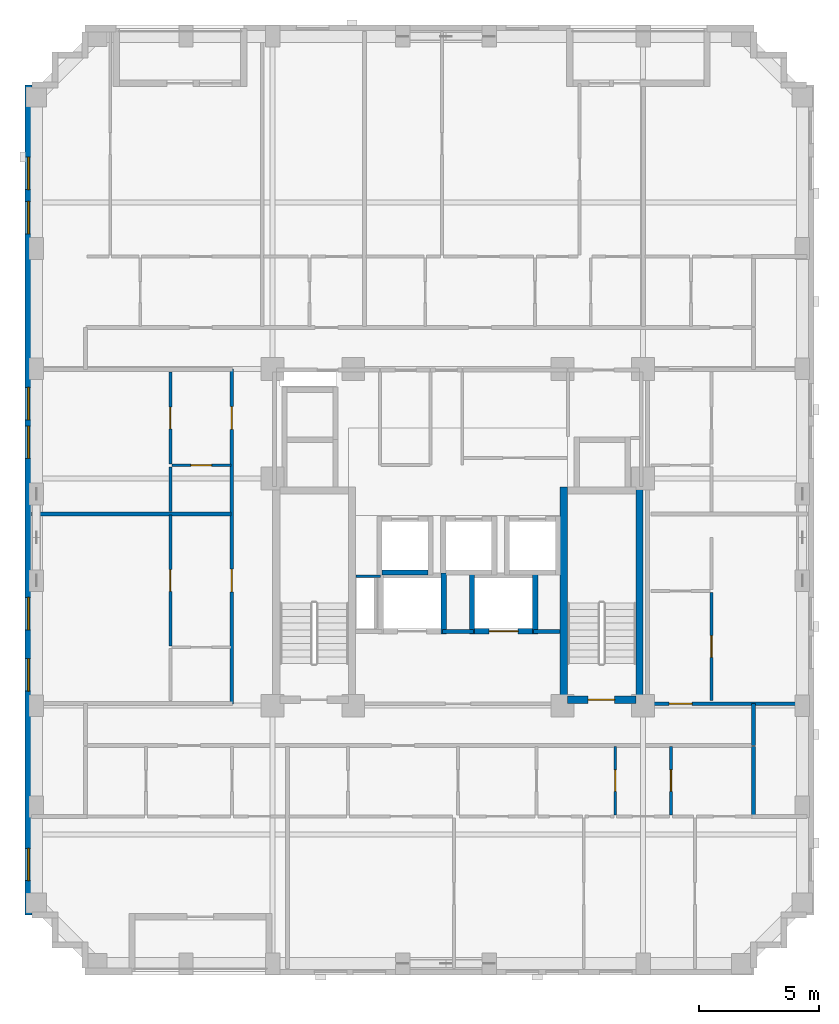
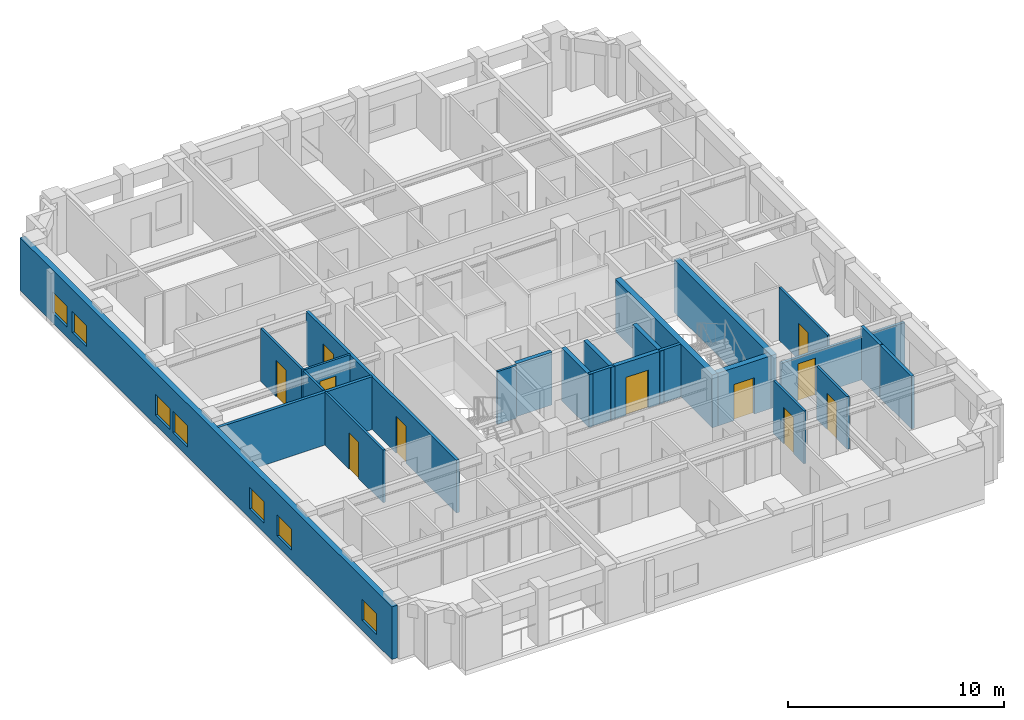
# One storey, part 4 of 11: 24 walls, 11 doors, 7 windows, 18 openings.
"""IFC4 building model written with IfcOpenShell, lengths in metres."""

from ifc_helpers import new_model, si_unit, derived_unit, direction, frame, frame_2d, origin, place, context, subcontext, project, spatial, rectangle, extrude, material, layer, layer_set, type_object, element, fill, save


model = new_model("IFC4")

# Units and contexts
model_context = context("Model", 3, precision=1e-05, world=origin(), true_north=direction((0.0, 1.0)))
body_context = subcontext(model_context, "Body", "Model", "MODEL_VIEW")
ifc_project = project(units=[si_unit("LENGTHUNIT", "METRE"), si_unit("AREAUNIT", "SQUARE_METRE"), si_unit("VOLUMEUNIT", "CUBIC_METRE"), si_unit("PLANEANGLEUNIT", "RADIAN"), si_unit("MASSUNIT", "GRAM", prefix="KILO"), derived_unit("THERMALTRANSMITTANCEUNIT", [(si_unit("MASSUNIT", "GRAM", prefix="KILO"), 1), (si_unit("TIMEUNIT", "SECOND"), -3), (si_unit("THERMODYNAMICTEMPERATUREUNIT", "KELVIN"), -1)])], contexts=[model_context])

# Site, building, storey
site_placement = place(None, origin())
site = spatial("IfcSite", under=ifc_project, at=site_placement, CompositionType="ELEMENT")
building_placement = place(site_placement, origin())
building = spatial("IfcBuilding", under=site, at=building_placement, Name="Korrvale Station Residences", CompositionType="ELEMENT")
storey_placement = place(building_placement, frame((0.0, 0.0, 163.39990234375)))
storey = spatial("IfcBuildingStorey", under=building, at=storey_placement, Name="L47", CompositionType="ELEMENT", Elevation=163.39990234375)

# Walls
ifc_material_1 = material(Name="Concrete C60/75", Category="concrete")
ifc_layer_1 = layer(ifc_material_1, 0.300048828125, Name="Concrete C60/75")
ifc_layer_set_1 = layer_set([ifc_layer_1], Name="Concrete C60/75")
wall_type_1 = type_object("IfcWallType", Name="WAL-CORE-300-C60", PredefinedType="SHEAR", material=ifc_layer_set_1)
for number, where, z_axis, x_axis, name in (
    (1, (29.89990234375, 15.10009765625, 0.0), (0.0, 0.0, 1.0), (0.0, 1.0, 0.0), "L47 ST-2 Core Shear Wall West"),
    (2, (33.050048828125, 15.10009765625, 0.0), (0.0, 0.0, 1.0), (0.0, 1.0, 0.0), "L47 ST-2 Core Shear Wall East"),
):
    element("IfcWall", number, at=place(storey_placement, frame(where, z_axis=z_axis, x_axis=x_axis)), inside=storey, type_object=wall_type_1, Name=name, PredefinedType="SHEAR", context=body_context, shape_type="SweptSolid", body=[
        extrude(rectangle(XDim=9.0, YDim=0.300048828125, at=frame_2d((4.5, 0.0))), origin(), (0.0, 0.0, 1.0), 2.989990234375),
    ])

# Wall, opening, door
wall_1_placement = place(storey_placement, frame((30.050048828125, 15.25, 0.0), z_axis=(0.0, 0.0, 1.0), x_axis=(1.0, 0.0, 0.0)))
wall_1 = element("IfcWall", 3, at=wall_1_placement, inside=storey, type_object=wall_type_1, Name="L47 ST-2 Core Shear Wall South", PredefinedType="SHEAR", context=body_context, shape_type="SweptSolid", body=[
    extrude(rectangle(XDim=2.849853515625, YDim=0.300048828125, at=frame_2d((1.4248046875, 0.0))), origin(), (0.0, 0.0, 1.0), 2.989990234375),
])
opening_1_placement = place(wall_1_placement, frame((0.860107421875, 0.0, 0.0)))
opening_1 = element("IfcOpeningElement", 4, at=opening_1_placement, cuts=wall_1, Name="Opening SD-1100", PredefinedType="OPENING", context=body_context, shape_type="SweptSolid", body=[
    extrude(rectangle(XDim=1.10009765625, YDim=2.050048828125, at=frame_2d((0.550048828125, 1.02490234375))), frame((0.0, 0.16015625, 0.0), z_axis=(0.0, -1.0, 0.0), x_axis=(1.0, 0.0, 0.0)), (0.0, 0.0, 1.0), 0.320068359375),
])
ifc_material_2 = material(Name="Hollow-metal fire-rated stair door with closer", Category="steel")
door_type_1 = type_object("IfcDoorType", Name="DR-STAIR-1100", OperationType="NOTDEFINED", PredefinedType="DOOR", material=ifc_material_2)
door_1_placement = place(opening_1_placement, origin())
door_1 = element("IfcDoor", 5, at=door_1_placement, inside=storey, type_object=door_type_1, Name="L47 ST-2 Exit Stair Door", OperationType="SINGLE_SWING_RIGHT", OverallHeight=2.050048828125, OverallWidth=1.10009765625, PredefinedType="DOOR", context=body_context, shape_type="SweptSolid", body=[
    extrude(rectangle(XDim=1.10009765625, YDim=2.050048828125, at=frame_2d((0.550048828125, 1.02490234375))), frame((0.0, 0.02490234375, 0.0), z_axis=(0.0, -1.0, 0.0), x_axis=(1.0, 0.0, 0.0)), (0.0, 0.0, 1.0), 0.050048828125),
])
fill(opening_1, door_1)

# Wall, openings, windows
ifc_material_3 = material(Name="Precast concrete C45/55", Category="concrete")
ifc_layer_2 = layer(ifc_material_3, 0.300048828125, Name="Precast concrete C45/55")
ifc_layer_set_2 = layer_set([ifc_layer_2], Name="Precast concrete C45/55")
wall_type_2 = type_object("IfcWallType", Name="WAL-EXT-PC300", PredefinedType="SOLIDWALL", material=ifc_layer_set_2)
wall_2_placement = place(storey_placement, frame((7.64990234375, 6.300048828125, 0.0), z_axis=(0.0, 0.0, 1.0), x_axis=(0.0, 1.0, 0.0)))
wall_2 = element("IfcWall", 6, at=wall_2_placement, inside=storey, type_object=wall_type_2, Name="L47 West Exterior Precast Wall 1", PredefinedType="SOLIDWALL", context=body_context, shape_type="SweptSolid", body=[
    extrude(rectangle(XDim=34.5, YDim=0.300048828125, at=frame_2d((17.25, 0.0))), origin(), (0.0, 0.0, 1.0), 2.989990234375),
])
opening_2_placement = place(wall_2_placement, frame((1.425048828125, 0.0, 0.550048828125)))
opening_2 = element("IfcOpeningElement", 7, at=opening_2_placement, cuts=wall_2, Name="Opening W-10", PredefinedType="OPENING", context=body_context, shape_type="SweptSolid", body=[
    extrude(rectangle(XDim=1.35009765625, YDim=1.199951171875, at=frame_2d((0.675048828125, 0.60009765625))), frame((0.0, 0.16015625, 0.0), z_axis=(0.0, -1.0, 0.0), x_axis=(1.0, 0.0, 0.0)), (0.0, 0.0, 1.0), 0.320068359375),
])
opening_3_placement = place(wall_2_placement, frame((30.14990234375, 0.0, 0.550048828125)))
opening_3 = element("IfcOpeningElement", 8, at=opening_3_placement, cuts=wall_2, Name="Opening W-10", PredefinedType="OPENING", context=body_context, shape_type="SweptSolid", body=[
    extrude(rectangle(XDim=1.35009765625, YDim=1.199951171875, at=frame_2d((0.675048828125, 0.60009765625))), frame((0.0, 0.16015625, 0.0), z_axis=(0.0, -1.0, 0.0), x_axis=(1.0, 0.0, 0.0)), (0.0, 0.0, 1.0), 0.320068359375),
])
opening_4_placement = place(wall_2_placement, frame((28.31005859375, 0.0, 0.550048828125)))
opening_4 = element("IfcOpeningElement", 9, at=opening_4_placement, cuts=wall_2, Name="Opening W-10", PredefinedType="OPENING", context=body_context, shape_type="SweptSolid", body=[
    extrude(rectangle(XDim=1.35009765625, YDim=1.199951171875, at=frame_2d((0.675048828125, 0.60009765625))), frame((0.0, 0.16015625, 0.0), z_axis=(0.0, -1.0, 0.0), x_axis=(1.0, 0.0, 0.0)), (0.0, 0.0, 1.0), 0.320068359375),
])
opening_5_placement = place(wall_2_placement, frame((11.85009765625, 0.0, 0.550048828125)))
opening_5 = element("IfcOpeningElement", 10, at=opening_5_placement, cuts=wall_2, Name="Opening W-10", PredefinedType="OPENING", context=body_context, shape_type="SweptSolid", body=[
    extrude(rectangle(XDim=1.35009765625, YDim=1.199951171875, at=frame_2d((0.675048828125, 0.60009765625))), frame((0.0, 0.16015625, 0.0), z_axis=(0.0, -1.0, 0.0), x_axis=(1.0, 0.0, 0.0)), (0.0, 0.0, 1.0), 0.320068359375),
])
opening_6_placement = place(wall_2_placement, frame((9.31005859375, 0.0, 0.550048828125)))
opening_6 = element("IfcOpeningElement", 11, at=opening_6_placement, cuts=wall_2, Name="Opening W-10", PredefinedType="OPENING", context=body_context, shape_type="SweptSolid", body=[
    extrude(rectangle(XDim=1.35009765625, YDim=1.199951171875, at=frame_2d((0.675048828125, 0.60009765625))), frame((0.0, 0.16015625, 0.0), z_axis=(0.0, -1.0, 0.0), x_axis=(1.0, 0.0, 0.0)), (0.0, 0.0, 1.0), 0.320068359375),
])
opening_7_placement = place(wall_2_placement, frame((18.97509765625, 0.0, 0.550048828125)))
opening_7 = element("IfcOpeningElement", 12, at=opening_7_placement, cuts=wall_2, Name="Opening W-10", PredefinedType="OPENING", context=body_context, shape_type="SweptSolid", body=[
    extrude(rectangle(XDim=1.35009765625, YDim=1.199951171875, at=frame_2d((0.675048828125, 0.60009765625))), frame((0.0, 0.16015625, 0.0), z_axis=(0.0, -1.0, 0.0), x_axis=(1.0, 0.0, 0.0)), (0.0, 0.0, 1.0), 0.320068359375),
])
opening_8_placement = place(wall_2_placement, frame((20.5849609375, 0.0, 0.550048828125)))
opening_8 = element("IfcOpeningElement", 13, at=opening_8_placement, cuts=wall_2, Name="Opening W-10", PredefinedType="OPENING", context=body_context, shape_type="SweptSolid", body=[
    extrude(rectangle(XDim=1.35009765625, YDim=1.199951171875, at=frame_2d((0.675048828125, 0.60009765625))), frame((0.0, 0.16015625, 0.0), z_axis=(0.0, -1.0, 0.0), x_axis=(1.0, 0.0, 0.0)), (0.0, 0.0, 1.0), 0.320068359375),
])
ifc_material_4 = material(Name="Thermally broken aluminium frame with triple low-e glazing", Category="aluminium")
window_type = type_object("IfcWindowType", Name="WIN-W10", PartitioningType="SINGLE_PANEL", PredefinedType="WINDOW", material=ifc_material_4)
window_1_placement = place(opening_2_placement, origin())
window_1 = element("IfcWindow", 14, at=window_1_placement, inside=storey, type_object=window_type, Name="L47 Punched Window 01", OverallHeight=1.199951171875, OverallWidth=1.35009765625, PartitioningType="SINGLE_PANEL", PredefinedType="WINDOW", context=body_context, shape_type="SweptSolid", body=[
    extrude(rectangle(XDim=1.35009765625, YDim=1.199951171875, at=frame_2d((0.675048828125, 0.60009765625))), frame((0.0, 0.030029296875, 0.0), z_axis=(0.0, -1.0, 0.0), x_axis=(1.0, 0.0, 0.0)), (0.0, 0.0, 1.0), 0.06005859375),
])
fill(opening_2, window_1)
window_2_placement = place(opening_3_placement, origin())
window_2 = element("IfcWindow", 15, at=window_2_placement, inside=storey, type_object=window_type, Name="L47 Punched Window 08", OverallHeight=1.199951171875, OverallWidth=1.35009765625, PartitioningType="SINGLE_PANEL", PredefinedType="WINDOW", context=body_context, shape_type="SweptSolid", body=[
    extrude(rectangle(XDim=1.35009765625, YDim=1.199951171875, at=frame_2d((0.675048828125, 0.60009765625))), frame((0.0, 0.030029296875, 0.0), z_axis=(0.0, -1.0, 0.0), x_axis=(1.0, 0.0, 0.0)), (0.0, 0.0, 1.0), 0.06005859375),
])
fill(opening_3, window_2)
window_3_placement = place(opening_4_placement, origin())
window_3 = element("IfcWindow", 16, at=window_3_placement, inside=storey, type_object=window_type, Name="L47 Punched Window 09", OverallHeight=1.199951171875, OverallWidth=1.35009765625, PartitioningType="SINGLE_PANEL", PredefinedType="WINDOW", context=body_context, shape_type="SweptSolid", body=[
    extrude(rectangle(XDim=1.35009765625, YDim=1.199951171875, at=frame_2d((0.675048828125, 0.60009765625))), frame((0.0, 0.030029296875, 0.0), z_axis=(0.0, -1.0, 0.0), x_axis=(1.0, 0.0, 0.0)), (0.0, 0.0, 1.0), 0.06005859375),
])
fill(opening_4, window_3)
window_4_placement = place(opening_5_placement, origin())
window_4 = element("IfcWindow", 17, at=window_4_placement, inside=storey, type_object=window_type, Name="L47 Punched Window 16", OverallHeight=1.199951171875, OverallWidth=1.35009765625, PartitioningType="SINGLE_PANEL", PredefinedType="WINDOW", context=body_context, shape_type="SweptSolid", body=[
    extrude(rectangle(XDim=1.35009765625, YDim=1.199951171875, at=frame_2d((0.675048828125, 0.60009765625))), frame((0.0, 0.030029296875, 0.0), z_axis=(0.0, -1.0, 0.0), x_axis=(1.0, 0.0, 0.0)), (0.0, 0.0, 1.0), 0.06005859375),
])
fill(opening_5, window_4)
window_5_placement = place(opening_6_placement, origin())
window_5 = element("IfcWindow", 18, at=window_5_placement, inside=storey, type_object=window_type, Name="L47 Punched Window 17", OverallHeight=1.199951171875, OverallWidth=1.35009765625, PartitioningType="SINGLE_PANEL", PredefinedType="WINDOW", context=body_context, shape_type="SweptSolid", body=[
    extrude(rectangle(XDim=1.35009765625, YDim=1.199951171875, at=frame_2d((0.675048828125, 0.60009765625))), frame((0.0, 0.030029296875, 0.0), z_axis=(0.0, -1.0, 0.0), x_axis=(1.0, 0.0, 0.0)), (0.0, 0.0, 1.0), 0.06005859375),
])
fill(opening_6, window_5)
window_6_placement = place(opening_7_placement, origin())
window_6 = element("IfcWindow", 19, at=window_6_placement, inside=storey, type_object=window_type, Name="L47 Punched Window 18", OverallHeight=1.199951171875, OverallWidth=1.35009765625, PartitioningType="SINGLE_PANEL", PredefinedType="WINDOW", context=body_context, shape_type="SweptSolid", body=[
    extrude(rectangle(XDim=1.35009765625, YDim=1.199951171875, at=frame_2d((0.675048828125, 0.60009765625))), frame((0.0, 0.030029296875, 0.0), z_axis=(0.0, -1.0, 0.0), x_axis=(1.0, 0.0, 0.0)), (0.0, 0.0, 1.0), 0.06005859375),
])
fill(opening_7, window_6)
window_7_placement = place(opening_8_placement, origin())
window_7 = element("IfcWindow", 20, at=window_7_placement, inside=storey, type_object=window_type, Name="L47 Punched Window 19", OverallHeight=1.199951171875, OverallWidth=1.35009765625, PartitioningType="SINGLE_PANEL", PredefinedType="WINDOW", context=body_context, shape_type="SweptSolid", body=[
    extrude(rectangle(XDim=1.35009765625, YDim=1.199951171875, at=frame_2d((0.675048828125, 0.60009765625))), frame((0.0, 0.030029296875, 0.0), z_axis=(0.0, -1.0, 0.0), x_axis=(1.0, 0.0, 0.0)), (0.0, 0.0, 1.0), 0.06005859375),
])
fill(opening_8, window_7)

# Wall
ifc_material_5 = material(Name="Acoustic steel-stud gypsum board partition", Category="steel")
ifc_layer_3 = layer(ifc_material_5, 0.1201171875, Name="Acoustic steel-stud gypsum board partition")
ifc_layer_set_3 = layer_set([ifc_layer_3], Name="Acoustic steel-stud gypsum board partition")
wall_type_3 = type_object("IfcWallType", Name="WAL-PART-125", PredefinedType="PARTITIONING", material=ifc_layer_set_3)
wall_3_placement = place(storey_placement, frame((22.280029296875, 20.3798828125, 0.0), z_axis=(0.0, 0.0, 1.0), x_axis=(-1.0, 0.0, 0.0)))
element("IfcWall", 21, at=wall_3_placement, inside=storey, type_object=wall_type_3, Name="L47 Core Partition CW-RSWT-N", PredefinedType="PARTITIONING", context=body_context, shape_type="SweptSolid", body=[
    extrude(rectangle(XDim=1.02001953125, YDim=0.1201171875, at=frame_2d((0.510009765625, 0.0))), origin(), (0.0, 0.0, 1.0), 2.989990234375),
])

# Wall, opening, door
wall_4_placement = place(storey_placement, frame((32.0400390625, 10.4599609375, 0.0), z_axis=(0.0, 0.0, 1.0), x_axis=(0.0, 1.0, 0.0)))
wall_4 = element("IfcWall", 22, at=wall_4_placement, inside=storey, type_object=wall_type_3, Name="L47 Suite Partition U02-V34", PredefinedType="PARTITIONING", context=body_context, shape_type="SweptSolid", body=[
    extrude(rectangle(XDim=2.85009765625, YDim=0.1201171875, at=frame_2d((1.425048828125, 0.0))), origin(), (0.0, 0.0, 1.0), 2.989990234375),
])
opening_9_placement = place(wall_4_placement, frame((0.97509765625, 0.0, 0.0)))
opening_9 = element("IfcOpeningElement", 23, at=opening_9_placement, cuts=wall_4, Name="Opening DI-900", PredefinedType="OPENING", context=body_context, shape_type="SweptSolid", body=[
    extrude(rectangle(XDim=0.89990234375, YDim=2.050048828125, at=frame_2d((0.449951171875, 1.02490234375))), frame((0.0, 0.070068359375, 0.0), z_axis=(0.0, -1.0, 0.0), x_axis=(1.0, 0.0, 0.0)), (0.0, 0.0, 1.0), 0.14013671875),
])
ifc_material_6 = material(Name="Painted solid-core timber interior room door", Category="wood")
door_type_2 = type_object("IfcDoorType", Name="DR-INT-900", OperationType="NOTDEFINED", PredefinedType="DOOR", material=ifc_material_6)
door_2_placement = place(opening_9_placement, origin())
door_2 = element("IfcDoor", 24, at=door_2_placement, inside=storey, type_object=door_type_2, Name="L47 Apartment 2BR L47-U02 Home Study Room Door", OperationType="SINGLE_SWING_LEFT", OverallHeight=2.050048828125, OverallWidth=0.89990234375, PredefinedType="DOOR", context=body_context, shape_type="SweptSolid", body=[
    extrude(rectangle(XDim=0.89990234375, YDim=2.050048828125, at=frame_2d((0.449951171875, 1.02490234375))), frame((0.0, 0.02490234375, 0.0), z_axis=(0.0, -1.0, 0.0), x_axis=(1.0, 0.0, 0.0)), (0.0, 0.0, 1.0), 0.050048828125),
])
fill(opening_9, door_2)

wall_5_placement = place(storey_placement, frame((34.360107421875, 10.4599609375, 0.0), z_axis=(0.0, 0.0, 1.0), x_axis=(0.0, 1.0, 0.0)))
wall_5 = element("IfcWall", 25, at=wall_5_placement, inside=storey, type_object=wall_type_3, Name="L47 Suite Partition U02-V45", PredefinedType="PARTITIONING", context=body_context, shape_type="SweptSolid", body=[
    extrude(rectangle(XDim=2.85009765625, YDim=0.1201171875, at=frame_2d((1.425048828125, 0.0))), origin(), (0.0, 0.0, 1.0), 2.989990234375),
])
opening_10_placement = place(wall_5_placement, frame((0.97509765625, 0.0, 0.0)))
opening_10 = element("IfcOpeningElement", 26, at=opening_10_placement, cuts=wall_5, Name="Opening DI-900", PredefinedType="OPENING", context=body_context, shape_type="SweptSolid", body=[
    extrude(rectangle(XDim=0.89990234375, YDim=2.050048828125, at=frame_2d((0.449951171875, 1.02490234375))), frame((0.0, 0.070068359375, 0.0), z_axis=(0.0, -1.0, 0.0), x_axis=(1.0, 0.0, 0.0)), (0.0, 0.0, 1.0), 0.14013671875),
])
door_3_placement = place(opening_10_placement, origin())
door_3 = element("IfcDoor", 27, at=door_3_placement, inside=storey, type_object=door_type_2, Name="L47 Apartment 2BR L47-U02 Wardrobe Storage Room Door", OperationType="SINGLE_SWING_RIGHT", OverallHeight=2.050048828125, OverallWidth=0.89990234375, PredefinedType="DOOR", context=body_context, shape_type="SweptSolid", body=[
    extrude(rectangle(XDim=0.89990234375, YDim=2.050048828125, at=frame_2d((0.449951171875, 1.02490234375))), frame((0.0, 0.02490234375, 0.0), z_axis=(0.0, -1.0, 0.0), x_axis=(1.0, 0.0, 0.0)), (0.0, 0.0, 1.0), 0.050048828125),
])
fill(opening_10, door_3)

wall_6_placement = place(storey_placement, frame((13.550048828125, 17.489013671875, 0.0), z_axis=(0.0, 0.0, 1.0), x_axis=(0.0, 1.0, 0.0)))
wall_6 = element("IfcWall", 28, at=wall_6_placement, inside=storey, type_object=wall_type_3, Name="L47 Suite Partition U07-V12", PredefinedType="PARTITIONING", context=body_context, shape_type="SweptSolid", body=[
    extrude(rectangle(XDim=5.43310546875, YDim=0.1201171875, at=frame_2d((2.716552734375, 0.0))), origin(), (0.0, 0.0, 1.0), 2.989990234375),
])
opening_11_placement = place(wall_6_placement, frame((2.26611328125, 0.0, 0.0)))
opening_11 = element("IfcOpeningElement", 29, at=opening_11_placement, cuts=wall_6, Name="Opening DI-900", PredefinedType="OPENING", context=body_context, shape_type="SweptSolid", body=[
    extrude(rectangle(XDim=0.89990234375, YDim=2.050048828125, at=frame_2d((0.449951171875, 1.02490234375))), frame((0.0, 0.070068359375, 0.0), z_axis=(0.0, -1.0, 0.0), x_axis=(1.0, 0.0, 0.0)), (0.0, 0.0, 1.0), 0.14013671875),
])
door_4_placement = place(opening_11_placement, origin())
door_4 = element("IfcDoor", 30, at=door_4_placement, inside=storey, type_object=door_type_2, Name="L47 Apartment 1BR L47-U07 Kitchen Door", OperationType="SINGLE_SWING_RIGHT", OverallHeight=2.050048828125, OverallWidth=0.89990234375, PredefinedType="DOOR", context=body_context, shape_type="SweptSolid", body=[
    extrude(rectangle(XDim=0.89990234375, YDim=2.050048828125, at=frame_2d((0.449951171875, 1.02490234375))), frame((0.0, 0.02490234375, 0.0), z_axis=(0.0, -1.0, 0.0), x_axis=(1.0, 0.0, 0.0)), (0.0, 0.0, 1.0), 0.050048828125),
])
fill(opening_11, door_4)

wall_7_placement = place(storey_placement, frame((13.610107421875, 24.991943359375, 0.0), z_axis=(0.0, 0.0, 1.0), x_axis=(1.0, 0.0, 0.0)))
wall_7 = element("IfcWall", 31, at=wall_7_placement, inside=storey, type_object=wall_type_3, Name="L47 Suite Partition U08-H01", PredefinedType="PARTITIONING", context=body_context, shape_type="SweptSolid", body=[
    extrude(rectangle(XDim=2.449951171875, YDim=0.1201171875, at=frame_2d((1.22509765625, 0.0))), origin(), (0.0, 0.0, 1.0), 2.989990234375),
])
opening_12_placement = place(wall_7_placement, frame((0.794921875, 0.0, 0.0)))
opening_12 = element("IfcOpeningElement", 32, at=opening_12_placement, cuts=wall_7, Name="Opening DB-860", PredefinedType="OPENING", context=body_context, shape_type="SweptSolid", body=[
    extrude(rectangle(XDim=0.860107421875, YDim=2.050048828125, at=frame_2d((0.43017578125, 1.02490234375))), frame((0.0, 0.070068359375, 0.0), z_axis=(0.0, -1.0, 0.0), x_axis=(1.0, 0.0, 0.0)), (0.0, 0.0, 1.0), 0.14013671875),
])
ifc_material_7 = material(Name="Moisture-resistant solid-core bathroom door", Category="timber")
door_type_3 = type_object("IfcDoorType", Name="DR-BATH-860", OperationType="NOTDEFINED", PredefinedType="DOOR", material=ifc_material_7)
door_5_placement = place(opening_12_placement, origin())
door_5 = element("IfcDoor", 33, at=door_5_placement, inside=storey, type_object=door_type_3, Name="L47 Apartment 1BR L47-U08 Bathroom Door", OperationType="SINGLE_SWING_LEFT", OverallHeight=2.050048828125, OverallWidth=0.860107421875, PredefinedType="DOOR", context=body_context, shape_type="SweptSolid", body=[
    extrude(rectangle(XDim=0.860107421875, YDim=2.050048828125, at=frame_2d((0.43017578125, 1.02490234375))), frame((0.0, 0.02490234375, 0.0), z_axis=(0.0, -1.0, 0.0), x_axis=(1.0, 0.0, 0.0)), (0.0, 0.0, 1.0), 0.050048828125),
])
fill(opening_12, door_5)

# Wall
wall_8_placement = place(storey_placement, frame((13.550048828125, 23.08203125, 0.0), z_axis=(0.0, 0.0, 1.0), x_axis=(0.0, 1.0, 0.0)))
element("IfcWall", 34, at=wall_8_placement, inside=storey, type_object=wall_type_3, Name="L47 Suite Partition U08-V02", PredefinedType="PARTITIONING", context=body_context, shape_type="SweptSolid", body=[
    extrude(rectangle(XDim=1.849853515625, YDim=0.1201171875, at=frame_2d((0.9248046875, 0.0))), origin(), (0.0, 0.0, 1.0), 2.989990234375),
])

# Wall, opening, door
wall_9_placement = place(storey_placement, frame((13.550048828125, 25.052001953125, 0.0), z_axis=(0.0, 0.0, 1.0), x_axis=(0.0, 1.0, 0.0)))
wall_9 = element("IfcWall", 35, at=wall_9_placement, inside=storey, type_object=wall_type_3, Name="L47 Suite Partition U08-V12", PredefinedType="PARTITIONING", context=body_context, shape_type="SweptSolid", body=[
    extrude(rectangle(XDim=3.80810546875, YDim=0.1201171875, at=frame_2d((1.904052734375, 0.0))), origin(), (0.0, 0.0, 1.0), 2.989990234375),
])
opening_13_placement = place(wall_9_placement, frame((1.4541015625, 0.0, 0.0)))
opening_13 = element("IfcOpeningElement", 36, at=opening_13_placement, cuts=wall_9, Name="Opening DI-900", PredefinedType="OPENING", context=body_context, shape_type="SweptSolid", body=[
    extrude(rectangle(XDim=0.89990234375, YDim=2.050048828125, at=frame_2d((0.449951171875, 1.02490234375))), frame((0.0, 0.070068359375, 0.0), z_axis=(0.0, -1.0, 0.0), x_axis=(1.0, 0.0, 0.0)), (0.0, 0.0, 1.0), 0.14013671875),
])
door_6_placement = place(opening_13_placement, origin())
door_6 = element("IfcDoor", 37, at=door_6_placement, inside=storey, type_object=door_type_2, Name="L47 Apartment 1BR L47-U08 Kitchen Door", OperationType="SINGLE_SWING_RIGHT", OverallHeight=2.050048828125, OverallWidth=0.89990234375, PredefinedType="DOOR", context=body_context, shape_type="SweptSolid", body=[
    extrude(rectangle(XDim=0.89990234375, YDim=2.050048828125, at=frame_2d((0.449951171875, 1.02490234375))), frame((0.0, 0.02490234375, 0.0), z_axis=(0.0, -1.0, 0.0), x_axis=(1.0, 0.0, 0.0)), (0.0, 0.0, 1.0), 0.050048828125),
])
fill(opening_13, door_6)

wall_10_placement = place(storey_placement, frame((36.0400390625, 15.2099609375, 0.0), z_axis=(0.0, 0.0, 1.0), x_axis=(0.0, 1.0, 0.0)))
wall_10 = element("IfcWall", 38, at=wall_10_placement, inside=storey, type_object=wall_type_3, Name="L47 Suite Partition U09-V12", PredefinedType="PARTITIONING", context=body_context, shape_type="SweptSolid", body=[
    extrude(rectangle(XDim=4.5, YDim=0.1201171875, at=frame_2d((2.25, 0.0))), origin(), (0.0, 0.0, 1.0), 2.989990234375),
])
opening_14_placement = place(wall_10_placement, frame((1.800048828125, 0.0, 0.0)))
opening_14 = element("IfcOpeningElement", 39, at=opening_14_placement, cuts=wall_10, Name="Opening DI-900", PredefinedType="OPENING", context=body_context, shape_type="SweptSolid", body=[
    extrude(rectangle(XDim=0.89990234375, YDim=2.050048828125, at=frame_2d((0.449951171875, 1.02490234375))), frame((0.0, 0.070068359375, 0.0), z_axis=(0.0, -1.0, 0.0), x_axis=(1.0, 0.0, 0.0)), (0.0, 0.0, 1.0), 0.14013671875),
])
door_7_placement = place(opening_14_placement, origin())
door_7 = element("IfcDoor", 40, at=door_7_placement, inside=storey, type_object=door_type_2, Name="L47 Apartment 1BR L47-U09 Kitchen Door", OperationType="SINGLE_SWING_LEFT", OverallHeight=2.050048828125, OverallWidth=0.89990234375, PredefinedType="DOOR", context=body_context, shape_type="SweptSolid", body=[
    extrude(rectangle(XDim=0.89990234375, YDim=2.050048828125, at=frame_2d((0.449951171875, 1.02490234375))), frame((0.0, 0.02490234375, 0.0), z_axis=(0.0, -1.0, 0.0), x_axis=(1.0, 0.0, 0.0)), (0.0, 0.0, 1.0), 0.050048828125),
])
fill(opening_14, door_7)

# Walls
ifc_material_8 = material(Name="Fire-rated twin-stud gypsum and mineral wool shaftwall assembly", Category="gypsum")
ifc_layer_4 = layer(ifc_material_8, 0.159912109375, Name="Fire-rated twin-stud gypsum and mineral wool shaftwall assembly")
ifc_layer_set_4 = layer_set([ifc_layer_4], Name="Fire-rated twin-stud gypsum and mineral wool shaftwall assembly")
wall_type_4 = type_object("IfcWallType", Name="WAL-PART-200", PredefinedType="PARTITIONING", material=ifc_layer_set_4)
wall_11_placement = place(storey_placement, frame((24.85009765625, 18.080078125, 0.0), z_axis=(0.0, 0.0, 1.0), x_axis=(1.0, 0.0, 0.0)))
element("IfcWall", 41, at=wall_11_placement, inside=storey, type_object=wall_type_4, Name="L47 Core Partition CW-FFL-N2", PredefinedType="PARTITIONING", context=body_context, shape_type="SweptSolid", body=[
    extrude(rectangle(XDim=1.2998046875, YDim=0.159912109375, at=frame_2d((0.64990234375, 0.0))), origin(), (0.0, 0.0, 1.0), 2.989990234375),
])
wall_12_placement = place(storey_placement, frame((28.64990234375, 18.080078125, 0.0), z_axis=(0.0, 0.0, 1.0), x_axis=(1.0, 0.0, 0.0)))
element("IfcWall", 42, at=wall_12_placement, inside=storey, type_object=wall_type_4, Name="L47 Core Partition CW-FFL-N3", PredefinedType="PARTITIONING", context=body_context, shape_type="SweptSolid", body=[
    extrude(rectangle(XDim=1.10009765625, YDim=0.159912109375, at=frame_2d((0.550048828125, 0.0))), origin(), (0.0, 0.0, 1.0), 2.989990234375),
])
wall_13_placement = place(storey_placement, frame((37.780029296875, 13.35009765625, 0.0), z_axis=(0.0, 0.0, 1.0), x_axis=(0.0, 1.0, 0.0)))
element("IfcWall", 43, at=wall_13_placement, inside=storey, type_object=wall_type_4, Name="L47 Corridor South East Cap", PredefinedType="PARTITIONING", context=body_context, shape_type="SweptSolid", body=[
    extrude(rectangle(XDim=1.739990234375, YDim=0.159912109375, at=frame_2d((0.8701171875, 0.0))), origin(), (0.0, 0.0, 1.0), 2.989990234375),
])
wall_14_placement = place(storey_placement, frame((37.780029296875, 10.39990234375, 0.0), z_axis=(0.0, 0.0, 1.0), x_axis=(0.0, 1.0, 0.0)))
element("IfcWall", 44, at=wall_14_placement, inside=storey, type_object=wall_type_4, Name="L47 Corner Step Cheek U02-R", PredefinedType="PARTITIONING", context=body_context, shape_type="SweptSolid", body=[
    extrude(rectangle(XDim=2.91015625, YDim=0.159912109375, at=frame_2d((1.455078125, 0.0))), origin(), (0.0, 0.0, 1.0), 2.989990234375),
])
wall_15_placement = place(storey_placement, frame((7.780029296875, 22.9619140625, 0.0), z_axis=(0.0, 0.0, 1.0), x_axis=(1.0, 0.0, 0.0)))
element("IfcWall", 45, at=wall_15_placement, inside=storey, type_object=wall_type_4, Name="L47 Demising Wall U07-N", PredefinedType="PARTITIONING", context=body_context, shape_type="SweptSolid", body=[
    extrude(rectangle(XDim=8.280029296875, YDim=0.159912109375, at=frame_2d((4.14013671875, 0.0))), origin(), (0.0, 0.0, 1.0), 2.989990234375),
])

# Wall, opening, door
wall_16_placement = place(storey_placement, frame((33.3798828125, 15.080078125, 0.0), z_axis=(0.0, 0.0, 1.0), x_axis=(1.0, 0.0, 0.0)))
wall_16 = element("IfcWall", 46, at=wall_16_placement, inside=storey, type_object=wall_type_4, Name="L47 Side Suite South Entry Wall U09", PredefinedType="PARTITIONING", context=body_context, shape_type="SweptSolid", body=[
    extrude(rectangle(XDim=6.64013671875, YDim=0.159912109375, at=frame_2d((3.320068359375, 0.0))), origin(), (0.0, 0.0, 1.0), 2.442138671875),
])
opening_15_placement = place(wall_16_placement, frame((0.89990234375, 0.0, 0.0)))
opening_15 = element("IfcOpeningElement", 47, at=opening_15_placement, cuts=wall_16, Name="Opening UD-950", PredefinedType="OPENING", context=body_context, shape_type="SweptSolid", body=[
    extrude(rectangle(XDim=0.949951171875, YDim=2.10009765625, at=frame_2d((0.47509765625, 1.050048828125))), frame((0.0, 0.08984375, 0.0), z_axis=(0.0, -1.0, 0.0), x_axis=(1.0, 0.0, 0.0)), (0.0, 0.0, 1.0), 0.179931640625),
])
ifc_material_9 = material(Name="Solid-core acoustic oak apartment entrance door", Category="timber")
door_type_4 = type_object("IfcDoorType", Name="DR-UNIT-950", OperationType="NOTDEFINED", PredefinedType="DOOR", material=ifc_material_9)
door_8_placement = place(opening_15_placement, origin())
door_8 = element("IfcDoor", 48, at=door_8_placement, inside=storey, type_object=door_type_4, Name="L47 Apartment L47-U09 Entrance Door", OperationType="SINGLE_SWING_LEFT", OverallHeight=2.10009765625, OverallWidth=0.949951171875, PredefinedType="DOOR", context=body_context, shape_type="SweptSolid", body=[
    extrude(rectangle(XDim=0.949951171875, YDim=2.10009765625, at=frame_2d((0.47509765625, 1.050048828125))), frame((0.0, 0.02490234375, 0.0), z_axis=(0.0, -1.0, 0.0), x_axis=(1.0, 0.0, 0.0)), (0.0, 0.0, 1.0), 0.050048828125),
])
fill(opening_15, door_8)

# Wall, openings, doors
wall_17_placement = place(storey_placement, frame((16.10009765625, 15.070068359375, 0.0), z_axis=(0.0, 0.0, 1.0), x_axis=(0.0, 1.0, 0.0)))
wall_17 = element("IfcWall", 49, at=wall_17_placement, inside=storey, type_object=wall_type_4, Name="L47 Rated Corridor Wall W", PredefinedType="PARTITIONING", context=body_context, shape_type="SweptSolid", body=[
    extrude(rectangle(XDim=13.929931640625, YDim=0.159912109375, at=frame_2d((6.96484375, 0.0))), origin(), (0.0, 0.0, 1.0), 2.989990234375),
])
opening_16_placement = place(wall_17_placement, frame((4.660888671875, 0.0, 0.0)))
opening_16 = element("IfcOpeningElement", 50, at=opening_16_placement, cuts=wall_17, Name="Opening UD-950", PredefinedType="OPENING", context=body_context, shape_type="SweptSolid", body=[
    extrude(rectangle(XDim=0.949951171875, YDim=2.10009765625, at=frame_2d((0.47509765625, 1.050048828125))), frame((0.0, 0.08984375, 0.0), z_axis=(0.0, -1.0, 0.0), x_axis=(1.0, 0.0, 0.0)), (0.0, 0.0, 1.0), 0.179931640625),
])
opening_17_placement = place(wall_17_placement, frame((11.410888671875, 0.0, 0.0)))
opening_17 = element("IfcOpeningElement", 51, at=opening_17_placement, cuts=wall_17, Name="Opening UD-950", PredefinedType="OPENING", context=body_context, shape_type="SweptSolid", body=[
    extrude(rectangle(XDim=0.949951171875, YDim=2.10009765625, at=frame_2d((0.47509765625, 1.050048828125))), frame((0.0, 0.08984375, 0.0), z_axis=(0.0, -1.0, 0.0), x_axis=(1.0, 0.0, 0.0)), (0.0, 0.0, 1.0), 0.179931640625),
])
door_9_placement = place(opening_16_placement, origin())
door_9 = element("IfcDoor", 52, at=door_9_placement, inside=storey, type_object=door_type_4, Name="L47 Apartment L47-U07 Entrance Door", OperationType="SINGLE_SWING_LEFT", OverallHeight=2.10009765625, OverallWidth=0.949951171875, PredefinedType="DOOR", context=body_context, shape_type="SweptSolid", body=[
    extrude(rectangle(XDim=0.949951171875, YDim=2.10009765625, at=frame_2d((0.47509765625, 1.050048828125))), frame((0.0, 0.02490234375, 0.0), z_axis=(0.0, -1.0, 0.0), x_axis=(1.0, 0.0, 0.0)), (0.0, 0.0, 1.0), 0.050048828125),
])
fill(opening_16, door_9)
door_10_placement = place(opening_17_placement, origin())
door_10 = element("IfcDoor", 53, at=door_10_placement, inside=storey, type_object=door_type_4, Name="L47 Apartment L47-U08 Entrance Door", OperationType="SINGLE_SWING_RIGHT", OverallHeight=2.10009765625, OverallWidth=0.949951171875, PredefinedType="DOOR", context=body_context, shape_type="SweptSolid", body=[
    extrude(rectangle(XDim=0.949951171875, YDim=2.10009765625, at=frame_2d((0.47509765625, 1.050048828125))), frame((0.0, 0.02490234375, 0.0), z_axis=(0.0, -1.0, 0.0), x_axis=(1.0, 0.0, 0.0)), (0.0, 0.0, 1.0), 0.050048828125),
])
fill(opening_17, door_10)

# Walls
ifc_layer_5 = layer(ifc_material_1, 0.219970703125, Name="Concrete C60/75")
ifc_layer_set_5 = layer_set([ifc_layer_5], Name="Concrete C60/75")
wall_type_5 = type_object("IfcWallType", Name="WAL-SHAFT-220-C60", PredefinedType="SHEAR", material=ifc_layer_set_5)
wall_18_placement = place(storey_placement, frame((22.35009765625, 20.5400390625, 0.0), z_axis=(0.0, 0.0, 1.0), x_axis=(1.0, 0.0, 0.0)))
element("IfcWall", 54, at=wall_18_placement, inside=storey, type_object=wall_type_5, Name="L47 Elevator PM-1 Hoistway Wall South", PredefinedType="SHEAR", context=body_context, shape_type="SweptSolid", body=[
    extrude(rectangle(XDim=1.89990234375, YDim=0.219970703125, at=frame_2d((0.949951171875, 0.0))), origin(), (0.0, 0.0, 1.0), 2.989990234375),
])
wall_19_placement = place(storey_placement, frame((24.909912109375, 17.97998046875, 0.0), z_axis=(0.0, 0.0, 1.0), x_axis=(0.0, 1.0, 0.0)))
element("IfcWall", 55, at=wall_19_placement, inside=storey, type_object=wall_type_5, Name="L47 Elevator FFL-1 Hoistway Wall East", PredefinedType="SHEAR", context=body_context, shape_type="SweptSolid", body=[
    extrude(rectangle(XDim=2.5400390625, YDim=0.219970703125, at=frame_2d((1.27001953125, 0.0))), origin(), (0.0, 0.0, 1.0), 2.989990234375),
])

# Wall, opening, door
wall_20_placement = place(storey_placement, frame((26.199951171875, 18.090087890625, 0.0), z_axis=(0.0, 0.0, 1.0), x_axis=(1.0, 0.0, 0.0)))
wall_20 = element("IfcWall", 56, at=wall_20_placement, inside=storey, type_object=wall_type_5, Name="L47 Elevator FFL-2 Hoistway Wall South", PredefinedType="SHEAR", context=body_context, shape_type="SweptSolid", body=[
    extrude(rectangle(XDim=2.400146484375, YDim=0.219970703125, at=frame_2d((1.2001953125, 0.0))), origin(), (0.0, 0.0, 1.0), 2.989990234375),
])
opening_18_placement = place(wall_20_placement, frame((0.60009765625, 0.0, 0.0)))
opening_18 = element("IfcOpeningElement", 57, at=opening_18_placement, cuts=wall_20, Name="Opening LD-FF1200", PredefinedType="OPENING", context=body_context, shape_type="SweptSolid", body=[
    extrude(rectangle(XDim=1.199951171875, YDim=2.14990234375, at=frame_2d((0.60009765625, 1.074951171875))), frame((0.0, 0.1201171875, 0.0), z_axis=(0.0, -1.0, 0.0), x_axis=(1.0, 0.0, 0.0)), (0.0, 0.0, 1.0), 0.239990234375),
])
ifc_material_10 = material(Name="Stainless-steel firefighter elevator landing sliding door", Category="steel")
door_type_5 = type_object("IfcDoorType", Name="DR-LIFT-FF1200", OperationType="SLIDING_TO_LEFT", PredefinedType="DOOR", material=ifc_material_10)
door_11_placement = place(opening_18_placement, origin())
door_11 = element("IfcDoor", 58, at=door_11_placement, inside=storey, type_object=door_type_5, Name="L47 Elevator FFL-2 Sliding Landing Door", OperationType="SLIDING_TO_LEFT", OverallHeight=2.14990234375, OverallWidth=1.199951171875, PredefinedType="DOOR", context=body_context, shape_type="SweptSolid", body=[
    extrude(rectangle(XDim=1.199951171875, YDim=2.14990234375, at=frame_2d((0.60009765625, 1.074951171875))), frame((0.0, 0.02490234375, 0.0), z_axis=(0.0, -1.0, 0.0), x_axis=(1.0, 0.0, 0.0)), (0.0, 0.0, 1.0), 0.050048828125),
])
fill(opening_18, door_11)

# Walls
for number, where, z_axis, x_axis, name in (
    (59, (26.090087890625, 17.97998046875, 0.0), (0.0, 0.0, 1.0), (0.0, 1.0, 0.0), "L47 Elevator FFL-2 Hoistway Wall West"),
    (60, (28.7099609375, 17.97998046875, 0.0), (0.0, 0.0, 1.0), (0.0, 1.0, 0.0), "L47 Elevator FFL-2 Hoistway Wall East"),
):
    element("IfcWall", number, at=place(storey_placement, frame(where, z_axis=z_axis, x_axis=x_axis)), inside=storey, type_object=wall_type_5, Name=name, PredefinedType="SHEAR", context=body_context, shape_type="SweptSolid", body=[
        extrude(rectangle(XDim=2.5400390625, YDim=0.219970703125, at=frame_2d((1.27001953125, 0.0))), origin(), (0.0, 0.0, 1.0), 2.989990234375),
    ])

save(model, "model.ifc")
